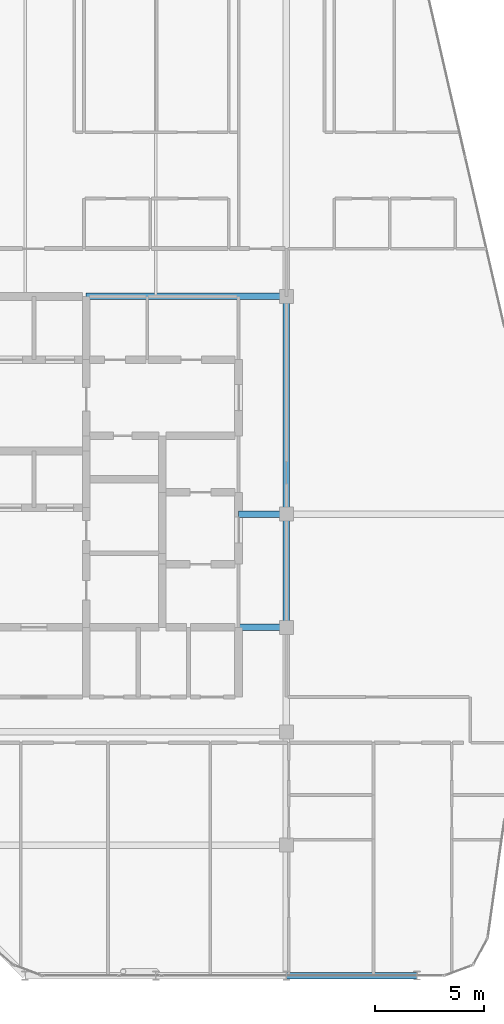
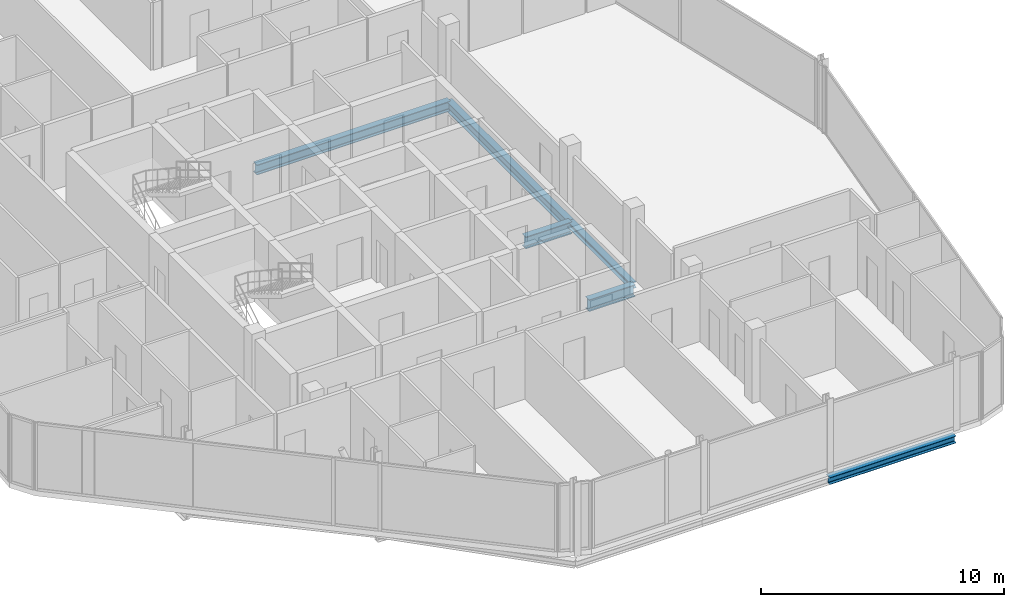
# One storey, part 11 of 27: 6 beams.
"""IFC4 building model written with IfcOpenShell, lengths in metres."""

from ifc_helpers import new_model, si_unit, direction, frame, origin, origin_2d, place, context, subcontext, project, spatial, i_section, extrude, material, material_profile, profile_set, type_object, element, save


model = new_model("IFC4")

# Units and contexts
model_context = context("Model", 3, precision=1e-05, world=origin(), true_north=direction((0.0, 1.0)))
body_context = subcontext(model_context, "Body", "Model", "MODEL_VIEW")
ifc_project = project(units=[si_unit("LENGTHUNIT", "METRE"), si_unit("AREAUNIT", "SQUARE_METRE"), si_unit("VOLUMEUNIT", "CUBIC_METRE"), si_unit("PLANEANGLEUNIT", "RADIAN"), si_unit("MASSUNIT", "GRAM", prefix="KILO")], contexts=[model_context])

# Site, building, storey
site_placement = place(None, origin())
site = spatial("IfcSite", under=ifc_project, at=site_placement, CompositionType="ELEMENT")
building_placement = place(site_placement, origin())
building = spatial("IfcBuilding", under=site, at=building_placement, Name="Keshet Zoharim Tower", CompositionType="ELEMENT")
storey_placement = place(building_placement, frame((0.0, 0.0, 284.300048828125)))
storey = spatial("IfcBuildingStorey", under=building, at=storey_placement, Name="L71", CompositionType="ELEMENT", Elevation=284.300048828125)

# Beams
ifc_material = material(Name="Steel S355", Category="steel")
ifc_material_profile_1 = material_profile(ifc_material, i_section(OverallWidth=0.300048828125, OverallDepth=0.60009765625, WebThickness=0.015380859375, FlangeThickness=0.030029296875, FilletRadius=0.027099609375, at=origin_2d()), Name="HEB600")
ifc_profile_set_1 = profile_set([ifc_material_profile_1], Name="Steel S355")
beam_type_1 = type_object("IfcBeamType", Name="BM-CLK-HB600", PredefinedType="BEAM", material=ifc_profile_set_1)
for number, where, z_axis, x_axis, name in (
    (1, (30.800048828125, 22.699951171875, -0.610107421875), (1.0, 0.0, 0.0), (0.0, 1.0, 0.0), "L71 Core Wall Link Girder 01"),
    (2, (30.800048828125, 27.89990234375, -0.610107421875), (1.0, 0.0, 0.0), (0.0, 1.0, 0.0), "L71 Core Wall Link Girder 02"),
):
    element("IfcBeam", number, at=place(storey_placement, frame(where, z_axis=z_axis, x_axis=x_axis)), inside=storey, type_object=beam_type_1, Name=name, PredefinedType="BEAM", context=body_context, shape_type="SweptSolid", body=[
        extrude(i_section(OverallWidth=0.300048828125, OverallDepth=0.60009765625, WebThickness=0.015380859375, FlangeThickness=0.030029296875, FilletRadius=0.027099609375, at=origin_2d()), origin(), (0.0, 0.0, 1.0), 2.199951171875),
    ])
ifc_material_profile_2 = material_profile(ifc_material, i_section(OverallWidth=0.300048828125, OverallDepth=0.5, WebThickness=0.014404296875, FlangeThickness=0.028076171875, FilletRadius=0.027099609375, at=origin_2d()), Name="HEB500")
ifc_profile_set_2 = profile_set([ifc_material_profile_2], Name="Steel S355")
beam_type_2 = type_object("IfcBeamType", Name="BM-MED-HB500", PredefinedType="BEAM", material=ifc_profile_set_2)
beam_1_placement = place(storey_placement, frame((23.800048828125, 37.89990234375, -0.56005859375), z_axis=(1.0, 0.0, 0.0), x_axis=(0.0, 1.0, 0.0)))
element("IfcBeam", 3, at=beam_1_placement, inside=storey, type_object=beam_type_2, Name="L71 Primary Girder X-009", PredefinedType="BEAM", context=body_context, shape_type="SweptSolid", body=[
    extrude(i_section(OverallWidth=0.300048828125, OverallDepth=0.5, WebThickness=0.014404296875, FlangeThickness=0.028076171875, FilletRadius=0.027099609375, at=origin_2d()), origin(), (0.0, 0.0, 1.0), 9.199951171875),
])
beam_2_placement = place(storey_placement, frame((33.0, 27.89990234375, -0.56005859375), z_axis=(0.0, 1.0, 0.0), x_axis=(-1.0, 0.0, 0.0)))
element("IfcBeam", 4, at=beam_2_placement, inside=storey, type_object=beam_type_2, Name="L71 Primary Girder Y-008", PredefinedType="BEAM", context=body_context, shape_type="SweptSolid", body=[
    extrude(i_section(OverallWidth=0.300048828125, OverallDepth=0.5, WebThickness=0.014404296875, FlangeThickness=0.028076171875, FilletRadius=0.027099609375, at=origin_2d()), origin(), (0.0, 0.0, 1.0), 10.0),
])
ifc_material_profile_3 = material_profile(ifc_material, i_section(OverallWidth=0.300048828125, OverallDepth=0.2900390625, WebThickness=0.008544921875, FlangeThickness=0.013916015625, FilletRadius=0.027099609375, at=origin_2d()), Name="HEA300")
ifc_profile_set_3 = profile_set([ifc_material_profile_3], Name="Steel S355")
beam_type_3 = type_object("IfcBeamType", Name="BM-PRI-HA300", PredefinedType="BEAM", material=ifc_profile_set_3)
beam_3_placement = place(storey_placement, frame((33.0, 22.699951171875, -0.455078125), z_axis=(0.0, 1.0, 0.0), x_axis=(-1.0, 0.0, 0.0)))
element("IfcBeam", 5, at=beam_3_placement, inside=storey, type_object=beam_type_3, Name="L71 Primary Girder Y-007", PredefinedType="BEAM", context=body_context, shape_type="SweptSolid", body=[
    extrude(i_section(OverallWidth=0.300048828125, OverallDepth=0.2900390625, WebThickness=0.008544921875, FlangeThickness=0.013916015625, FilletRadius=0.027099609375, at=origin_2d()), origin(), (0.0, 0.0, 1.0), 5.199951171875),
])
ifc_material_profile_4 = material_profile(ifc_material, i_section(OverallWidth=0.300048828125, OverallDepth=0.35009765625, WebThickness=0.010009765625, FlangeThickness=0.017578125, FilletRadius=0.027099609375, at=origin_2d()), Name="HEA360")
ifc_profile_set_4 = profile_set([ifc_material_profile_4], Name="Steel S355")
beam_type_4 = type_object("IfcBeamType", Name="BM-PRI-HA360", PredefinedType="BEAM", material=ifc_profile_set_4)
beam_4_placement = place(storey_placement, frame((33.0, 6.699951171875, -0.485107421875), z_axis=(1.0, 0.0, 0.0), x_axis=(0.0, 1.0, 0.0)))
element("IfcBeam", 6, at=beam_4_placement, inside=storey, type_object=beam_type_4, Name="L71 Primary Girder X-003", PredefinedType="BEAM", context=body_context, shape_type="SweptSolid", body=[
    extrude(i_section(OverallWidth=0.300048828125, OverallDepth=0.35009765625, WebThickness=0.010009765625, FlangeThickness=0.017578125, FilletRadius=0.027099609375, at=origin_2d()), origin(), (0.0, 0.0, 1.0), 6.0),
])

save(model, "model.ifc")
